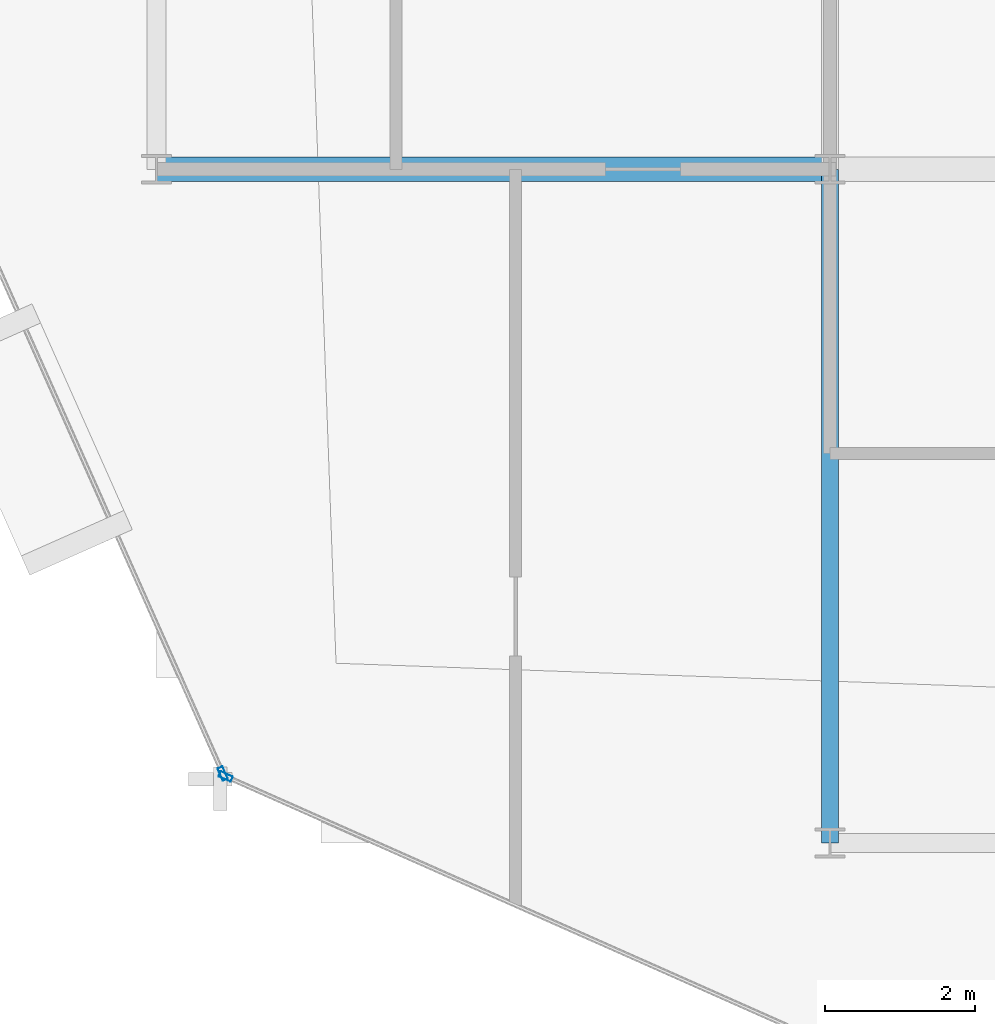
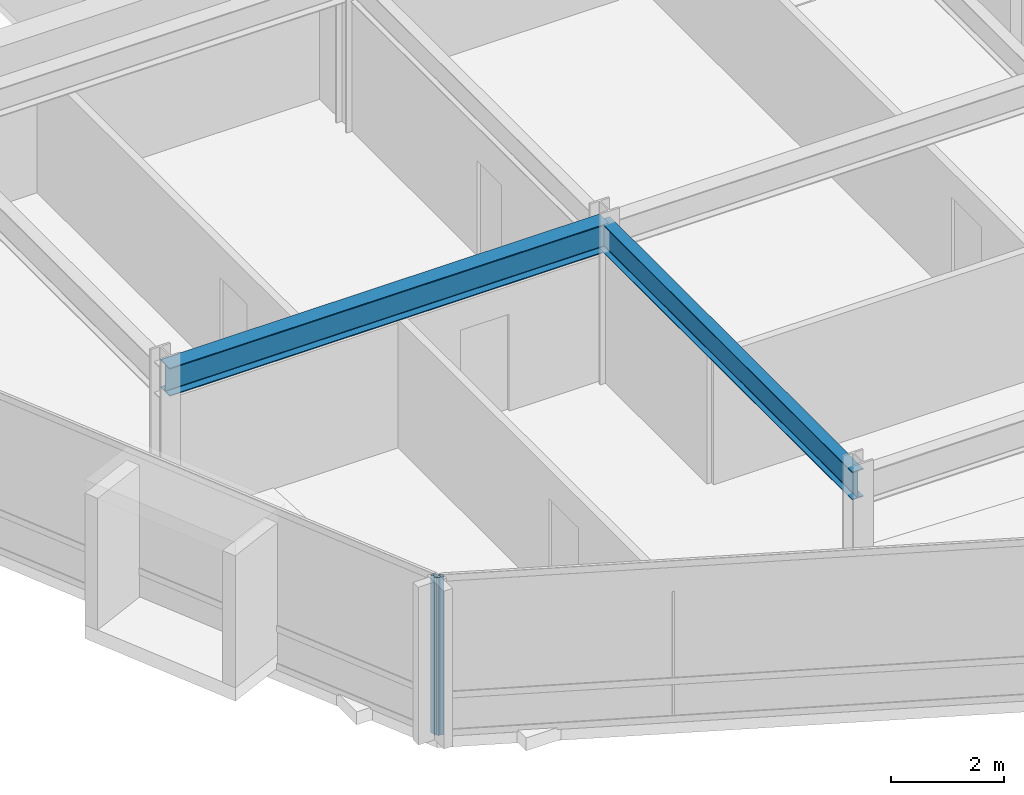
# One storey, part 2 of 28: 2 beams, 2 members, 2 elements without a shape of their own.
"""IFC4 building model written with IfcOpenShell, lengths in metres."""

import ifcopenshell
import ifcopenshell.guid

model = None  # the IFC model being written
_history = None  # IfcOwnerHistory: only IFC2X3 demands one
_inside = {}  # id of a spatial element -> (the spatial element, [elements in it])
_under = {}  # id of a project, library or spatial element -> (it, [spatial elements below it])
_declared = {}  # id of a project -> (the project, [libraries it declares])
_typed = {}  # id of a type object -> (the type object, [elements of that type])
_made_of = {}  # id of a material, layer set ... -> (it, [elements and type objects made of it])


def new_model(schema):
    """Start an empty IFC model of exactly this schema.

    Asked for "IFC4X3", IfcOpenShell would pick the latest addendum, in which some entities
    have other attributes; the version numbers below select the first issue.
    IFC2X3 requires an IfcOwnerHistory on every rooted entity: one is made here for all.
    """
    global model, _history
    if schema == "IFC4X3":
        model = ifcopenshell.file(schema_version=(4, 3, 0, 0))
    else:
        model = ifcopenshell.file(schema=schema)
    _inside.clear()
    _under.clear()
    _declared.clear()
    _typed.clear()
    _made_of.clear()
    _history = None
    if model.schema == "IFC2X3":
        org = make("IfcOrganization", Name="unknown")
        user = make(
            "IfcPersonAndOrganization",
            ThePerson=make("IfcPerson", FamilyName="unknown"),
            TheOrganization=org,
        )
        app = make(
            "IfcApplication",
            ApplicationDeveloper=org,
            Version="unknown",
            ApplicationFullName="unknown",
            ApplicationIdentifier="unknown",
        )
        _history = make(
            "IfcOwnerHistory",
            OwningUser=user,
            OwningApplication=app,
            ChangeAction="ADDED",
            CreationDate=0,
        )
    return model


def make(cls, **values):
    """One entity of the class cls with the attributes given. An attribute that is None is left unset."""
    return model.create_entity(
        cls, **{name: value for name, value in values.items() if value is not None}
    )


def rooted(cls, **values):
    """An entity with a GlobalId (a new one), such as an element, a storey or a relation."""
    return make(cls, GlobalId=ifcopenshell.guid.new(), OwnerHistory=_history, **values)


def si_unit(unit_type, name, prefix=None):
    """IfcSIUnit, for example si_unit("LENGTHUNIT", "METRE", prefix="MILLI")."""
    return make("IfcSIUnit", UnitType=unit_type, Prefix=prefix, Name=name)


def assignment(units):
    """IfcUnitAssignment: the units of a project."""
    return None if units is None else make("IfcUnitAssignment", Units=units)


def point(xyz):
    """IfcCartesianPoint."""
    return None if xyz is None else make("IfcCartesianPoint", Coordinates=xyz)


def direction(xyz):
    """IfcDirection."""
    return None if xyz is None else make("IfcDirection", DirectionRatios=xyz)


def frame(location, z_axis=None, x_axis=None):
    """IfcAxis2Placement3D, a coordinate frame: its origin and axes. An axis left out is left unset."""
    return make(
        "IfcAxis2Placement3D",
        Location=point(location),
        Axis=direction(z_axis),
        RefDirection=direction(x_axis),
    )


def frame_2d(location, x_axis=None):
    """IfcAxis2Placement2D, a coordinate frame in the plane: its origin and x axis."""
    return make(
        "IfcAxis2Placement2D", Location=point(location), RefDirection=direction(x_axis)
    )


def origin():
    """The frame at (0, 0, 0) with its axes left unset."""
    return frame((0.0, 0.0, 0.0))


def origin_2d():
    """The frame at (0, 0) in the plane with its x axis left unset."""
    return frame_2d((0.0, 0.0))


def place(relative_to, where):
    """IfcLocalPlacement: puts the frame where relative to a parent placement (None: the world)."""
    return make(
        "IfcLocalPlacement", PlacementRelTo=relative_to, RelativePlacement=where
    )


def context(
    kind, dimensions, precision=None, world=None, true_north=None, identifier=None
):
    """IfcGeometricRepresentationContext, for example the 3D "Model" context."""
    return make(
        "IfcGeometricRepresentationContext",
        ContextIdentifier=identifier,
        ContextType=kind,
        CoordinateSpaceDimension=dimensions,
        Precision=precision,
        WorldCoordinateSystem=world,
        TrueNorth=true_north,
    )


def subcontext(parent, identifier, kind, view, scale=None):
    """IfcGeometricRepresentationSubContext, for example "Body" below "Model"."""
    return make(
        "IfcGeometricRepresentationSubContext",
        ContextIdentifier=identifier,
        ContextType=kind,
        ParentContext=parent,
        TargetScale=scale,
        TargetView=view,
    )


def project(units=None, contexts=None):
    """IfcProject with its units and contexts."""
    return rooted(
        "IfcProject",
        Name="project",
        RepresentationContexts=contexts,
        UnitsInContext=assignment(units),
    )


def spatial(cls, under=None, at=None, **own):
    """A site, building, storey or space (cls), placed at a placement, below another one or the project."""
    s = rooted(cls, ObjectPlacement=at, **own)
    if under is not None:
        _under.setdefault(under.id(), (under, []))[1].append(s)
    return s


def profile(cls, at=None, kind="AREA", **sizes):
    """A parametric profile (cls). Its sizes go by their IFC names, for example OverallWidth=200.0."""
    return make(cls, ProfileType=kind, Position=at, **sizes)


def hollow_rectangle(**sizes):
    """IfcRectangleHollowProfileDef."""
    return profile("IfcRectangleHollowProfileDef", **sizes)


def i_section(**sizes):
    """IfcIShapeProfileDef."""
    return profile("IfcIShapeProfileDef", **sizes)


def extrude(swept, where, along, depth):
    """IfcExtrudedAreaSolid: the profile swept, set in the frame where, extruded along a direction by depth."""
    return make(
        "IfcExtrudedAreaSolid",
        SweptArea=swept,
        Position=where,
        ExtrudedDirection=direction(along),
        Depth=depth,
    )


def shape(context_of_items, identifier, shape_type, items):
    """IfcShapeRepresentation: the items that make up one representation, for example the "Body"."""
    return make(
        "IfcShapeRepresentation",
        ContextOfItems=context_of_items,
        RepresentationIdentifier=identifier,
        RepresentationType=shape_type,
        Items=items,
    )


def material(Name=None, Category=None):
    """IfcMaterial."""
    return make("IfcMaterial", Name=Name, Category=Category)


def layer(
    of_material, thickness, ventilated=None, Name=None, Category=None, Priority=None
):
    """IfcMaterialLayer: one layer of a wall or slab, of a material (None: an air gap)."""
    return make(
        "IfcMaterialLayer",
        Material=of_material,
        LayerThickness=thickness,
        IsVentilated=ventilated,
        Name=Name,
        Category=Category,
        Priority=Priority,
    )


def layer_set(layers, Name=None):
    """IfcMaterialLayerSet."""
    return make("IfcMaterialLayerSet", MaterialLayers=layers, LayerSetName=Name)


def material_profile(
    of_material, cross_section, Name=None, Category=None, Priority=None
):
    """IfcMaterialProfile: a cross section and its material."""
    return make(
        "IfcMaterialProfile",
        Name=Name,
        Material=of_material,
        Profile=cross_section,
        Priority=Priority,
        Category=Category,
    )


def profile_set(profiles, Name=None, composite=None):
    """IfcMaterialProfileSet."""
    return make(
        "IfcMaterialProfileSet",
        Name=Name,
        MaterialProfiles=profiles,
        CompositeProfile=composite,
    )


def made_of(thing, what):
    """Note that an element or type object is made of a material, layer set ...; save() writes the relation."""
    if what is not None:
        _made_of.setdefault(what.id(), (what, []))[1].append(thing)
    return thing


def type_object(cls, material=None, **own):
    """A type object (cls), such as IfcWallType, which elements share."""
    return made_of(rooted(cls, **own), material)


def element(
    cls,
    number,
    at=None,
    inside=None,
    cuts=None,
    type_object=None,
    material=None,
    context=None,
    identifier="Body",
    shape_type=None,
    held_by="IfcProductDefinitionShape",
    body=None,
    shapes=None,
    **own,
):
    """One element of the class cls, such as IfcWall. Its Tag is "e" and its number.

    at: its placement. inside: the storey or other place that contains it. cuts: it is an
    opening in that element (IfcRelVoidsElement). A single representation is given by context,
    identifier, shape_type and body (its items); several are given by shapes. held_by: the class
    of the entity that holds the representations. save() writes the other relations.
    """
    e = rooted(cls, Tag="e%d" % number, ObjectPlacement=at, **own)
    if body is not None:
        shapes = [shape(context, identifier, shape_type, body)]
    if shapes is not None:
        e.Representation = make(held_by, Representations=shapes)
    if inside is not None:
        _inside.setdefault(inside.id(), (inside, []))[1].append(e)
    if cuts is not None:
        rooted(
            "IfcRelVoidsElement", RelatingBuildingElement=cuts, RelatedOpeningElement=e
        )
    if type_object is not None:
        _typed.setdefault(type_object.id(), (type_object, []))[1].append(e)
    return made_of(e, material)


def aggregate(whole, parts):
    """IfcRelAggregates: a whole, such as a stair, and the parts it consists of."""
    return rooted("IfcRelAggregates", RelatingObject=whole, RelatedObjects=parts)


def save(model, path):
    """Write the relations noted so far, then the file.

    IfcRelAggregates (storeys below a building ...), IfcRelContainedInSpatialStructure (elements
    in a storey), IfcRelDefinesByType, IfcRelAssociatesMaterial and IfcRelDeclares: one each for
    every whole, place, type object, material and project.
    """
    for whole, parts in _under.values():
        aggregate(whole, parts)
    for where, things in _inside.values():
        rooted(
            "IfcRelContainedInSpatialStructure",
            RelatedElements=things,
            RelatingStructure=where,
        )
    for kind, things in _typed.values():
        rooted("IfcRelDefinesByType", RelatedObjects=things, RelatingType=kind)
    for what, things in _made_of.values():
        rooted("IfcRelAssociatesMaterial", RelatedObjects=things, RelatingMaterial=what)
    for by, libraries in _declared.values():
        rooted("IfcRelDeclares", RelatingContext=by, RelatedDefinitions=libraries)
    model.write(path)


model = new_model("IFC4")

# Units and contexts
model_context = context("Model", 3, precision=1e-05, world=origin(), true_north=direction((0.0, 1.0)))
body_context = subcontext(model_context, "Body", "Model", "MODEL_VIEW")
ifc_project = project(units=[si_unit("LENGTHUNIT", "METRE"), si_unit("AREAUNIT", "SQUARE_METRE"), si_unit("VOLUMEUNIT", "CUBIC_METRE"), si_unit("PLANEANGLEUNIT", "RADIAN"), si_unit("MASSUNIT", "GRAM", prefix="KILO")], contexts=[model_context])

# Site, building, storey
site_placement = place(None, origin())
site = spatial("IfcSite", under=ifc_project, at=site_placement, CompositionType="ELEMENT")
building_placement = place(site_placement, origin())
building = spatial("IfcBuilding", under=site, at=building_placement, Name="Solvaryn Broadcast Tower", CompositionType="ELEMENT")
storey_placement = place(building_placement, frame((0.0, 0.0, 206.199951171875)))
storey = spatial("IfcBuildingStorey", under=building, at=storey_placement, Name="L51", CompositionType="ELEMENT", Elevation=206.199951171875)

# Beams
ifc_material_1 = material(Name="Steel ASTM A992 Grade 50", Category="steel")
ifc_material_profile_1 = material_profile(ifc_material_1, i_section(OverallWidth=0.323974609375, OverallDepth=0.611083984375, WebThickness=0.0126953125, FlangeThickness=0.01904296875, FilletRadius=0.014892578125, at=origin_2d()))
ifc_profile_set_1 = profile_set([ifc_material_profile_1], Name="Steel ASTM A992 Grade 50")
beam_type_1 = type_object("IfcBeamType", Name="BM-B1-W24X104", PredefinedType="BEAM", material=ifc_profile_set_1)
beam_1_placement = place(storey_placement, frame((9.0, 18.0, 3.114501953125), z_axis=(1.0, 0.0, 0.0), x_axis=(0.0, 1.0, 0.0)))
element("IfcBeam", 1, at=beam_1_placement, inside=storey, type_object=beam_type_1, Name="L51 Primary Beam X (9-18 @ Y=18)", PredefinedType="BEAM", context=body_context, shape_type="SweptSolid", body=[
    extrude(i_section(OverallWidth=0.323974609375, OverallDepth=0.611083984375, WebThickness=0.0126953125, FlangeThickness=0.01904296875, FilletRadius=0.014892578125, at=origin_2d()), origin(), (0.0, 0.0, 1.0), 9.0),
])
ifc_material_2 = material(Name="Steel ASTM A992 Grade 50", Category="steel")
ifc_material_profile_2 = material_profile(ifc_material_2, i_section(OverallWidth=0.22802734375, OverallDepth=0.60791015625, WebThickness=0.01123046875, FlangeThickness=0.017333984375, FilletRadius=0.014892578125, at=origin_2d()))
ifc_profile_set_2 = profile_set([ifc_material_profile_2], Name="Steel ASTM A992 Grade 50")
beam_type_2 = type_object("IfcBeamType", Name="BM-B2-W24X76", PredefinedType="BEAM", material=ifc_profile_set_2)
beam_2_placement = place(storey_placement, frame((18.0, 9.0, 3.115966796875), z_axis=(0.0, 1.0, 0.0), x_axis=(-1.0, 0.0, 0.0)))
element("IfcBeam", 2, at=beam_2_placement, inside=storey, type_object=beam_type_2, Name="L51 Primary Beam Y (9-18 @ X=18)", PredefinedType="BEAM", context=body_context, shape_type="SweptSolid", body=[
    extrude(i_section(OverallWidth=0.22802734375, OverallDepth=0.60791015625, WebThickness=0.01123046875, FlangeThickness=0.017333984375, FilletRadius=0.014892578125, at=origin_2d()), origin(), (0.0, 0.0, 1.0), 9.0),
])

# Curtain wall, member
ifc_material_3 = material(Name="Aluminium and Terracotta Unitised Curtain Wall", Category="masonry")
ifc_layer = layer(ifc_material_3, 0.199951171875)
ifc_layer_set = layer_set([ifc_layer], Name="CW-SYS2-LOWMID")
curtain_wall_type = type_object("IfcCurtainWallType", Name="CW-SYS2-LOWMID", PredefinedType="NOTDEFINED", material=ifc_layer_set)
curtain_wall_1_placement = place(storey_placement, origin())
curtain_wall_1 = element("IfcCurtainWall", 3, at=curtain_wall_1_placement, inside=storey, type_object=curtain_wall_type, Name="L51 Curtain Wall DR2", PredefinedType="NOTDEFINED")
ifc_material_4 = material(Name="Anodised Aluminium 6063-T6", Category="aluminium")
ifc_material_profile_3 = material_profile(ifc_material_4, hollow_rectangle(XDim=0.074951171875, YDim=0.179931640625, WallThickness=0.00390625, InnerFilletRadius=0.00390625, OuterFilletRadius=0.008056640625, at=origin_2d()))
ifc_profile_set_3 = profile_set([ifc_material_profile_3], Name="Anodised Aluminium 6063-T6")
member_type = type_object("IfcMemberType", Name="CW-MUL-180", PredefinedType="MULLION", material=ifc_profile_set_3)
member_1_placement = place(storey_placement, frame((9.8857421875, 9.925537109375, 0.0), z_axis=(0.0, 0.0, 1.0), x_axis=(0.913916902365, 0.405901337237, 0.0)))
member_1 = element("IfcMember", 4, at=member_1_placement, type_object=member_type, Name="CWS2 mullion 2", PredefinedType="MULLION", context=body_context, shape_type="SweptSolid", body=[
    extrude(hollow_rectangle(XDim=0.074951171875, YDim=0.179931640625, WallThickness=0.00390625, InnerFilletRadius=0.00390625, OuterFilletRadius=0.008056640625, at=origin_2d()), origin(), (0.0, 0.0, 1.0), 3.420166015625),
])
aggregate(curtain_wall_1, [member_1])

curtain_wall_2_placement = place(storey_placement, origin())
curtain_wall_2 = element("IfcCurtainWall", 5, at=curtain_wall_2_placement, inside=storey, type_object=curtain_wall_type, Name="L51 Curtain Wall DR3", PredefinedType="NOTDEFINED")
member_2_placement = place(storey_placement, frame((9.925537109375, 9.8857421875, 0.0), z_axis=(0.0, 0.0, 1.0), x_axis=(0.405901337237, 0.913916902365, 0.0)))
member_2 = element("IfcMember", 6, at=member_2_placement, type_object=member_type, Name="CWS2 mullion 1", PredefinedType="MULLION", context=body_context, shape_type="SweptSolid", body=[
    extrude(hollow_rectangle(XDim=0.074951171875, YDim=0.179931640625, WallThickness=0.00390625, InnerFilletRadius=0.00390625, OuterFilletRadius=0.008056640625, at=origin_2d()), origin(), (0.0, 0.0, 1.0), 3.420166015625),
])
aggregate(curtain_wall_2, [member_2])

save(model, "model.ifc")
